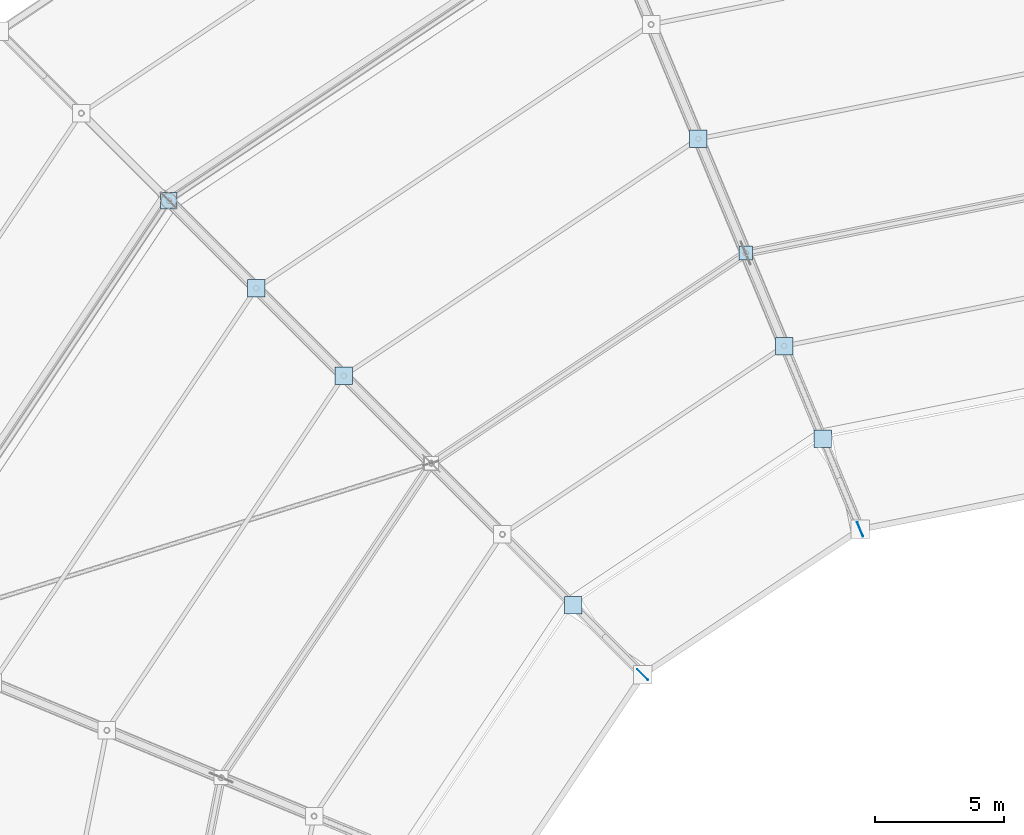
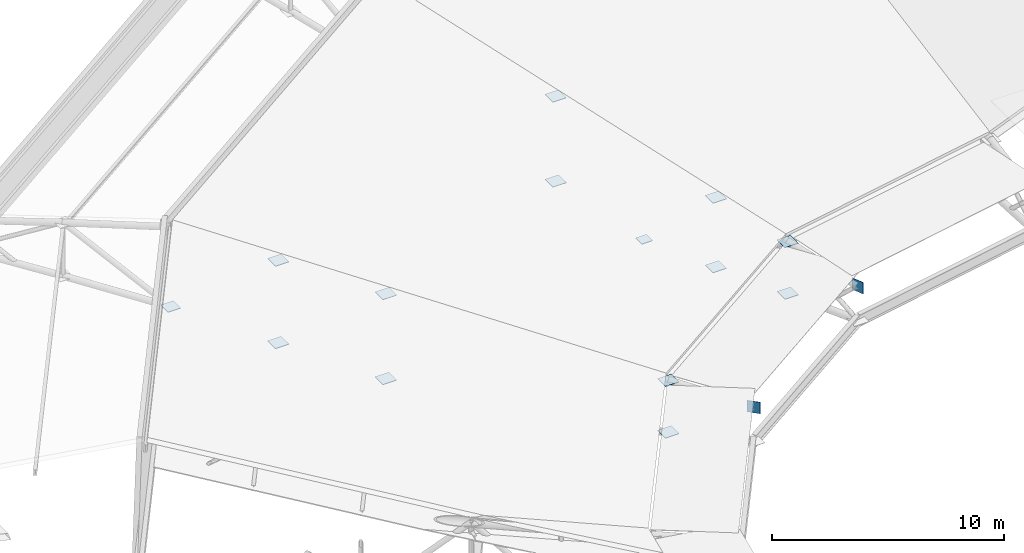
# One storey, part 132 of 146: 16 plates.
"""IFC4 building model written with IfcOpenShell, lengths in metres."""

from ifc_helpers import new_model, si_unit, direction, frame, origin, origin_2d, place, context, subcontext, project, spatial, rectangle, extrude, material, layer, layer_set, type_object, element, save


model = new_model("IFC4")

# Units and contexts
model_context = context("Model", 3, precision=1e-05, world=origin(), true_north=direction((0.0, 1.0)))
body_context = subcontext(model_context, "Body", "Model", "MODEL_VIEW")
ifc_project = project(units=[si_unit("LENGTHUNIT", "METRE"), si_unit("AREAUNIT", "SQUARE_METRE"), si_unit("VOLUMEUNIT", "CUBIC_METRE"), si_unit("PLANEANGLEUNIT", "RADIAN"), si_unit("MASSUNIT", "GRAM", prefix="KILO")], contexts=[model_context])

# Site, building, storey
site_placement = place(None, origin())
site = spatial("IfcSite", under=ifc_project, at=site_placement, CompositionType="ELEMENT")
building_placement = place(site_placement, origin())
building = spatial("IfcBuilding", under=site, at=building_placement, Name="Candeia Ridge Stadium", CompositionType="ELEMENT")
storey_placement = place(building_placement, frame((0.0, 0.0, 31.800048828125)))
storey = spatial("IfcBuildingStorey", under=building, at=storey_placement, Name="RF", CompositionType="ELEMENT", Elevation=31.800048828125)

# Plates
ifc_material = material(Name="Steel ASTM A572 Grade 50", Category="steel")
ifc_layer_1 = layer(ifc_material, 0.02490234375, Name="Steel ASTM A572 Grade 50", Category="steel")
ifc_layer_set_1 = layer_set([ifc_layer_1], Name="Steel ASTM A572 Grade 50")
plate_type_1 = type_object("IfcPlateType", Name="Hollow Section End Closure Plate CP1", PredefinedType="SHEET", material=ifc_layer_set_1)
plate_1_placement = place(storey_placement, frame((56.611083984375, 129.73779296875, -2.676513671875), z_axis=(0.0, 0.0, 1.0), x_axis=(1.0, 0.0, 0.0)))
element("IfcPlate", 1, at=plate_1_placement, inside=storey, type_object=plate_type_1, Name="Hollow section end closure plate MCAP-T-BC-MD-08", PredefinedType="SHEET", context=body_context, shape_type="SweptSolid", body=[
    extrude(rectangle(XDim=0.5400390625, YDim=0.5400390625, at=origin_2d()), origin(), (0.0, 0.0, 1.0), 0.02490234375),
])
plate_2_placement = place(storey_placement, frame((34.23046875, 131.76953125, 0.387451171875), z_axis=(0.0, 0.0, 1.0), x_axis=(1.0, 0.0, 0.0)))
element("IfcPlate", 2, at=plate_2_placement, inside=storey, type_object=plate_type_1, Name="Hollow section end closure plate MCAP-T-BC-OU-09", PredefinedType="SHEET", context=body_context, shape_type="SweptSolid", body=[
    extrude(rectangle(XDim=0.639892578125, YDim=0.639892578125, at=origin_2d()), origin(), (0.0, 0.0, 1.0), 0.02490234375),
])
ifc_layer_2 = layer(ifc_material, 0.02490234375, Name="Steel ASTM A572 Grade 50", Category="steel")
ifc_layer_set_2 = layer_set([ifc_layer_2], Name="Steel ASTM A572 Grade 50")
plate_type_2 = type_object("IfcPlateType", Name="Hollow Section End Closure Plate CP3", PredefinedType="SHEET", material=ifc_layer_set_2)
for number, where, z_axis, x_axis, name in (
    (3, (59.595947265625, 122.531494140625, 0.530517578125), (0.0, 0.0, 1.0), (1.0, 0.0, 0.0), "Hollow section end closure plate NCAP-T-08-1"),
    (4, (59.595947265625, 122.531494140625, -2.186767578125), (0.0, 0.0, 1.0), (1.0, 0.0, 0.0), "Hollow section end closure plate NCAP-B-08-1"),
    (5, (58.103515625, 126.134765625, 1.201904296875), (0.0, 0.0, 1.0), (1.0, 0.0, 0.0), "Hollow section end closure plate NCAP-T-08-2"),
    (6, (58.103515625, 126.134765625, -2.45654296875), (0.0, 0.0, 1.0), (1.0, 0.0, 0.0), "Hollow section end closure plate NCAP-B-08-2"),
    (7, (54.774169921875, 134.172607421875, 2.8115234375), (0.0, 0.0, 1.0), (1.0, 0.0, 0.0), "Hollow section end closure plate NCAP-T-08-4"),
    (8, (54.774169921875, 134.172607421875, -1.6552734375), (0.0, 0.0, 1.0), (1.0, 0.0, 0.0), "Hollow section end closure plate NCAP-B-08-4"),
    (9, (49.92822265625, 116.07177734375, 0.530517578125), (0.0, 0.0, 1.0), (1.0, 0.0, 0.0), "Hollow section end closure plate NCAP-T-09-1"),
    (10, (49.92822265625, 116.07177734375, -2.186767578125), (0.0, 0.0, 1.0), (1.0, 0.0, 0.0), "Hollow section end closure plate NCAP-B-09-1"),
    (11, (41.0185546875, 124.9814453125, 2.8115234375), (0.0, 0.0, 1.0), (1.0, 0.0, 0.0), "Hollow section end closure plate NCAP-T-09-4"),
    (12, (41.0185546875, 124.9814453125, -1.6552734375), (0.0, 0.0, 1.0), (1.0, 0.0, 0.0), "Hollow section end closure plate NCAP-B-09-4"),
    (13, (37.62451171875, 128.37548828125, 3.699462890625), (0.0, 0.0, 1.0), (1.0, 0.0, 0.0), "Hollow section end closure plate NCAP-T-09-5"),
    (14, (37.62451171875, 128.37548828125, -0.6337890625), (0.0, 0.0, 1.0), (1.0, 0.0, 0.0), "Hollow section end closure plate NCAP-B-09-5"),
):
    element("IfcPlate", number, at=place(storey_placement, frame(where, z_axis=z_axis, x_axis=x_axis)), inside=storey, type_object=plate_type_2, Name=name, PredefinedType="SHEET", context=body_context, shape_type="SweptSolid", body=[
        extrude(rectangle(XDim=0.679931640625, YDim=0.679931640625, at=origin_2d()), origin(), (0.0, 0.0, 1.0), 0.02490234375),
    ])
ifc_layer_3 = layer(ifc_material, 0.02392578125, Name="Steel ASTM A572 Grade 50", Category="steel")
ifc_layer_set_3 = layer_set([ifc_layer_3], Name="Steel ASTM A572 Grade 50")
plate_type_3 = type_object("IfcPlateType", Name="Roof Truss Chord-Web Node Gusset ND-3", PredefinedType="USERDEFINED", material=ifc_layer_set_3)
for number, where, z_axis, x_axis, name in (
    (15, (61.05029296875, 119.020751953125, -0.460205078125), (0.0, 0.0, 1.0), (-0.382683433413, 0.923879532077, 0.0), "Roof truss tip gusset node ND-3 bay 09"),
    (16, (52.615234375, 113.384765625, -0.460205078125), (0.0, 0.0, 1.0), (-0.707106781187, 0.707106781187, 0.0), "Roof truss tip gusset node ND-3 bay 10"),
):
    element("IfcPlate", number, at=place(storey_placement, frame(where, z_axis=z_axis, x_axis=x_axis)), inside=storey, type_object=plate_type_3, Name=name, ObjectType="GUSSET PLATE", PredefinedType="USERDEFINED", context=body_context, shape_type="SweptSolid", body=[
        extrude(rectangle(XDim=0.60009765625, YDim=0.02392578125, at=origin_2d()), origin(), (0.0, 0.0, 1.0), 0.60009765625),
    ])

save(model, "model.ifc")
